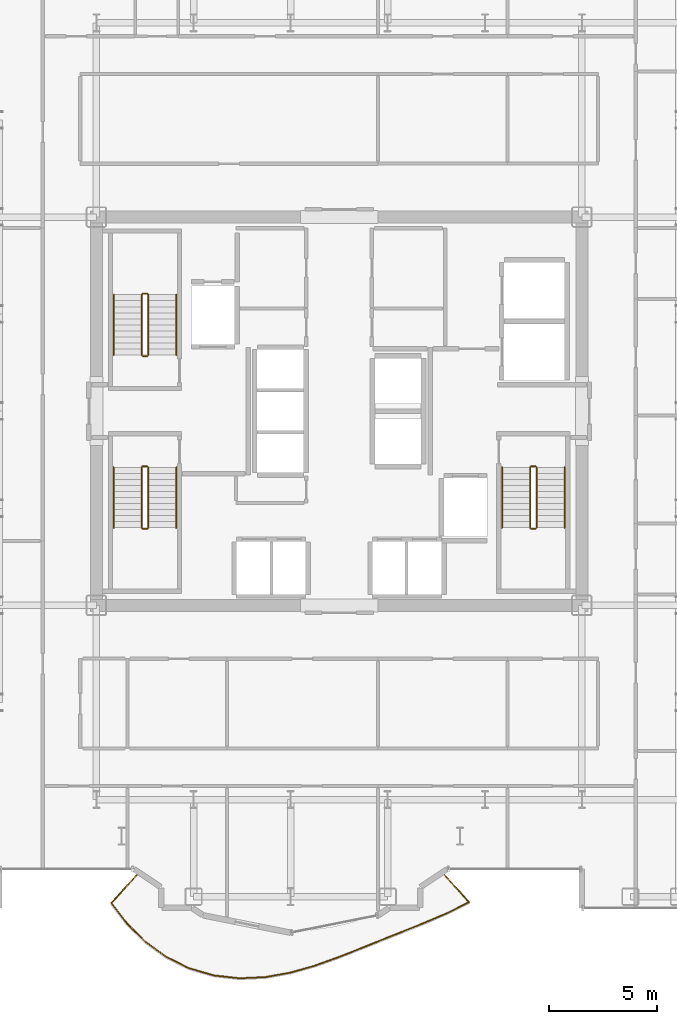
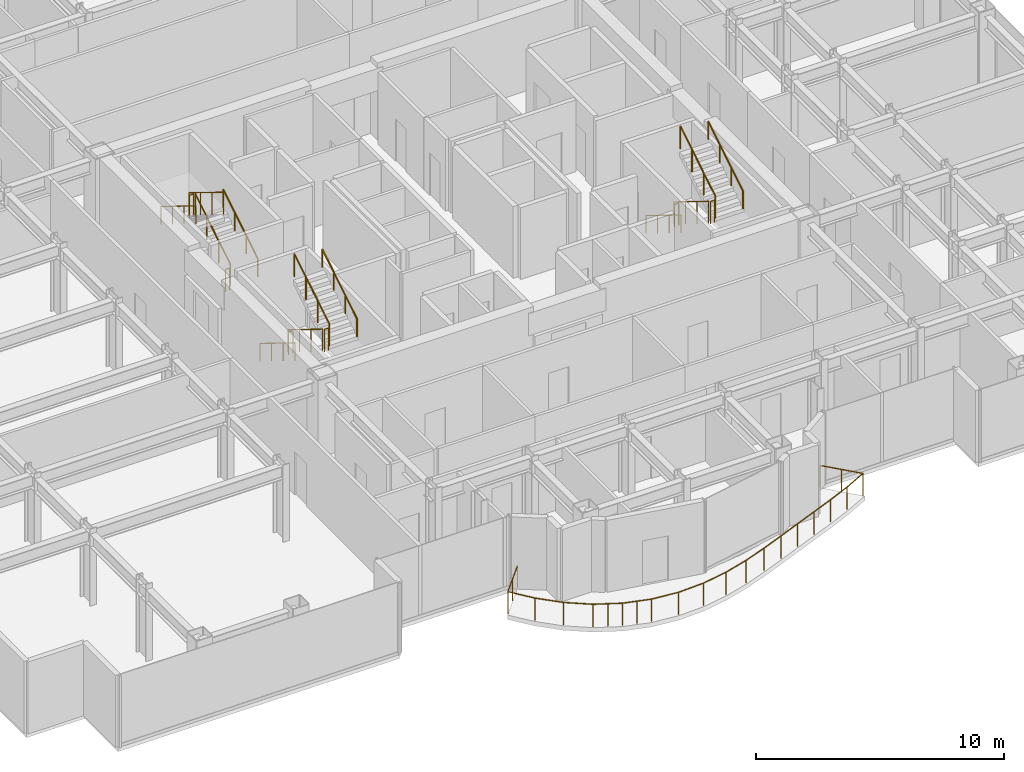
# One storey, part 25 of 26: 19 railings.
"""IFC4 building model written with IfcOpenShell, lengths in metres."""

from ifc_helpers import new_model, si_unit, direction, frame, origin, origin_2d, place, context, subcontext, project, spatial, circle, extrude, material, type_object, element, save


model = new_model("IFC4")

# Units and contexts
model_context = context("Model", 3, precision=1e-05, world=origin(), true_north=direction((0.0, 1.0)))
body_context = subcontext(model_context, "Body", "Model", "MODEL_VIEW")
ifc_project = project(units=[si_unit("LENGTHUNIT", "METRE"), si_unit("AREAUNIT", "SQUARE_METRE"), si_unit("VOLUMEUNIT", "CUBIC_METRE"), si_unit("PLANEANGLEUNIT", "RADIAN"), si_unit("MASSUNIT", "GRAM", prefix="KILO")], contexts=[model_context])

# Site, building, storey
site_placement = place(None, origin())
site = spatial("IfcSite", under=ifc_project, at=site_placement, CompositionType="ELEMENT")
building_placement = place(site_placement, origin())
building = spatial("IfcBuilding", under=site, at=building_placement, Name="Nefas-Gora Pilgrimage Tower", CompositionType="ELEMENT")
storey_placement = place(building_placement, frame((0.0, 0.0, 171.60009765625)))
storey = spatial("IfcBuildingStorey", under=building, at=storey_placement, Name="L42", CompositionType="ELEMENT", Elevation=171.60009765625)

# Railings
ifc_material_1 = material(Name="Laminated safety glass and stainless steel", Category="steel")
railing_type_1 = type_object("IfcRailingType", Name="RLG-BAL-1100", PredefinedType="BALUSTRADE", material=ifc_material_1)
railing_1_placement = place(storey_placement, frame((-9.302490234375, -21.402587890625, 0.0)))
element("IfcRailing", 1, at=railing_1_placement, inside=storey, type_object=railing_type_1, Name="L42 Wave Balcony Balustrade S2", PredefinedType="BALUSTRADE", context=body_context, shape_type="SweptSolid", body=[
    extrude(circle(Radius=0.02392578125, at=origin_2d()), frame((0.0, 0.0, 1.09619140625), z_axis=(-0.669129721026, -0.743145622634, 0.0), x_axis=(0.743145622634, -0.669129721026, 0.0)), (0.0, 0.0, 1.0), 1.880126953125),
    extrude(circle(Radius=0.02392578125, at=origin_2d()), frame((-1.258056640625, -1.397216796875, 1.09619140625), z_axis=(0.611200063939, -0.791476141044, 0.0), x_axis=(0.791476141044, 0.611200063939, 0.0)), (0.0, 0.0, 1.0), 1.179443359375),
    extrude(circle(Radius=0.02392578125, at=origin_2d()), frame((-0.537109375, -2.330810546875, 1.09619140625), z_axis=(0.707209030738, -0.707004516848, 0.0), x_axis=(0.707004516848, 0.707209030738, 0.0)), (0.0, 0.0, 1.0), 1.19384765625),
    extrude(circle(Radius=0.02392578125, at=origin_2d()), frame((0.30712890625, -3.1748046875, 1.09619140625), z_axis=(0.807148617314, -0.590348295135, 0.0), x_axis=(0.590348295135, 0.807148617314, 0.0)), (0.0, 0.0, 1.0), 1.19921875),
    extrude(circle(Radius=0.02392578125, at=origin_2d()), frame((1.275146484375, -3.8828125, 1.09619140625), z_axis=(0.896048232133, -0.443956716011, 0.0), x_axis=(0.443956716011, 0.896048232133, 0.0)), (0.0, 0.0, 1.0), 1.200439453125),
    extrude(circle(Radius=0.02392578125, at=origin_2d()), frame((2.350830078125, -4.415771484375, 1.09619140625), z_axis=(0.960465578019, -0.278398766951, 0.0), x_axis=(0.278398766951, 0.960465578019, 0.0)), (0.0, 0.0, 1.0), 1.200439453125),
    extrude(circle(Radius=0.02392578125, at=origin_2d()), frame((3.50390625, -4.75, 1.09619140625), z_axis=(0.994009663553, -0.109292217307, 0.0), x_axis=(0.109292217307, 0.994009663553, 0.0)), (0.0, 0.0, 1.0), 1.199462890625),
    extrude(circle(Radius=0.02392578125, at=origin_2d()), frame((4.6962890625, -4.881103515625, 1.09619140625), z_axis=(0.998903921138, 0.046807652535, 0.0), x_axis=(-0.046807652535, 0.998903921138, 0.0)), (0.0, 0.0, 1.0), 1.1943359375),
    extrude(circle(Radius=0.02392578125, at=origin_2d()), frame((5.889404296875, -4.8251953125, 1.09619140625), z_axis=(0.984273970402, 0.176648665973, 0.0), x_axis=(-0.176648665973, 0.984273970402, 0.0)), (0.0, 0.0, 1.0), 1.181640625),
    extrude(circle(Radius=0.02392578125, at=origin_2d()), frame((7.052490234375, -4.616455078125, 1.09619140625), z_axis=(0.961722400744, 0.274025589875, 0.0), x_axis=(-0.274025589875, 0.961722400744, 0.0)), (0.0, 0.0, 1.0), 1.1591796875),
    extrude(circle(Radius=0.02392578125, at=origin_2d()), frame((8.167236328125, -4.298828125, 1.09619140625), z_axis=(0.941629347278, 0.336651410726, 0.0), x_axis=(-0.336651410726, 0.941629347278, 0.0)), (0.0, 0.0, 1.0), 1.129150390625),
    extrude(circle(Radius=0.02392578125, at=origin_2d()), frame((9.23046875, -3.918701171875, 1.09619140625), z_axis=(0.929909498538, 0.367788423592, 0.0), x_axis=(-0.367788423592, 0.929909498538, 0.0)), (0.0, 0.0, 1.0), 1.099365234375),
    extrude(circle(Radius=0.02392578125, at=origin_2d()), frame((10.252685546875, -3.514404296875, 1.09619140625), z_axis=(0.927160236692, 0.374665044403, 0.0), x_axis=(-0.374665044403, 0.927160236692, 0.0)), (0.0, 0.0, 1.0), 1.0791015625),
    extrude(circle(Radius=0.02392578125, at=origin_2d()), frame((11.253173828125, -3.110107421875, 1.09619140625), z_axis=(0.928883068163, 0.370373116844, 0.0), x_axis=(-0.370373116844, 0.928883068163, 0.0)), (0.0, 0.0, 1.0), 1.07568359375),
    extrude(circle(Radius=0.02392578125, at=origin_2d()), frame((12.25244140625, -2.711669921875, 1.09619140625), z_axis=(0.928183190328, 0.372123588601, 0.0), x_axis=(-0.372123588601, 0.928183190328, 0.0)), (0.0, 0.0, 1.0), 1.091064453125),
    extrude(circle(Radius=0.02392578125, at=origin_2d()), frame((13.26513671875, -2.3056640625, 1.09619140625), z_axis=(0.919111174096, 0.393998286356, 0.0), x_axis=(-0.393998286356, 0.919111174096, 0.0)), (0.0, 0.0, 1.0), 1.119140625),
    extrude(circle(Radius=0.02392578125, at=origin_2d()), frame((14.293701171875, -1.86474609375, 1.09619140625), z_axis=(0.895992473093, 0.444069238026, 0.0), x_axis=(-0.444069238026, 0.895992473093, 0.0)), (0.0, 0.0, 1.0), 1.150146484375),
    extrude(circle(Radius=0.02392578125, at=origin_2d()), frame((15.32421875, -1.35400390625, 1.09619140625), z_axis=(-0.669157184217, 0.743120893806, 0.0), x_axis=(-0.743120893806, -0.669157184217, 0.0)), (0.0, 0.0, 1.0), 1.822021484375),
    extrude(circle(Radius=0.02099609375, at=origin_2d()), origin(), (0.0, 0.0, 1.0), 1.072021484375),
    extrude(circle(Radius=0.02099609375, at=origin_2d()), frame((-0.62890625, -0.69873046875, 0.0)), (0.0, 0.0, 1.0), 1.072021484375),
    extrude(circle(Radius=0.02099609375, at=origin_2d()), frame((-1.258056640625, -1.397216796875, 0.0)), (0.0, 0.0, 1.0), 1.072021484375),
    extrude(circle(Radius=0.02099609375, at=origin_2d()), frame((-0.537109375, -2.330810546875, 0.0)), (0.0, 0.0, 1.0), 1.072021484375),
    extrude(circle(Radius=0.02099609375, at=origin_2d()), frame((0.30712890625, -3.1748046875, 0.0)), (0.0, 0.0, 1.0), 1.072021484375),
    extrude(circle(Radius=0.02099609375, at=origin_2d()), frame((1.275146484375, -3.8828125, 0.0)), (0.0, 0.0, 1.0), 1.072021484375),
    extrude(circle(Radius=0.02099609375, at=origin_2d()), frame((1.81298828125, -4.1494140625, 0.0)), (0.0, 0.0, 1.0), 1.072021484375),
    extrude(circle(Radius=0.02099609375, at=origin_2d()), frame((2.350830078125, -4.415771484375, 0.0)), (0.0, 0.0, 1.0), 1.072021484375),
    extrude(circle(Radius=0.02099609375, at=origin_2d()), frame((2.92724609375, -4.5830078125, 0.0)), (0.0, 0.0, 1.0), 1.072021484375),
    extrude(circle(Radius=0.02099609375, at=origin_2d()), frame((3.50390625, -4.75, 0.0)), (0.0, 0.0, 1.0), 1.072021484375),
    extrude(circle(Radius=0.02099609375, at=origin_2d()), frame((4.6962890625, -4.881103515625, 0.0)), (0.0, 0.0, 1.0), 1.072021484375),
    extrude(circle(Radius=0.02099609375, at=origin_2d()), frame((5.889404296875, -4.8251953125, 0.0)), (0.0, 0.0, 1.0), 1.072021484375),
    extrude(circle(Radius=0.02099609375, at=origin_2d()), frame((7.052490234375, -4.616455078125, 0.0)), (0.0, 0.0, 1.0), 1.072021484375),
    extrude(circle(Radius=0.02099609375, at=origin_2d()), frame((8.167236328125, -4.298828125, 0.0)), (0.0, 0.0, 1.0), 1.072021484375),
    extrude(circle(Radius=0.02099609375, at=origin_2d()), frame((9.23046875, -3.918701171875, 0.0)), (0.0, 0.0, 1.0), 1.072021484375),
    extrude(circle(Radius=0.02099609375, at=origin_2d()), frame((10.252685546875, -3.514404296875, 0.0)), (0.0, 0.0, 1.0), 1.072021484375),
    extrude(circle(Radius=0.02099609375, at=origin_2d()), frame((11.253173828125, -3.110107421875, 0.0)), (0.0, 0.0, 1.0), 1.072021484375),
    extrude(circle(Radius=0.02099609375, at=origin_2d()), frame((12.25244140625, -2.711669921875, 0.0)), (0.0, 0.0, 1.0), 1.072021484375),
    extrude(circle(Radius=0.02099609375, at=origin_2d()), frame((13.26513671875, -2.3056640625, 0.0)), (0.0, 0.0, 1.0), 1.072021484375),
    extrude(circle(Radius=0.02099609375, at=origin_2d()), frame((14.293701171875, -1.86474609375, 0.0)), (0.0, 0.0, 1.0), 1.072021484375),
    extrude(circle(Radius=0.02099609375, at=origin_2d()), frame((15.32421875, -1.35400390625, 0.0)), (0.0, 0.0, 1.0), 1.072021484375),
    extrude(circle(Radius=0.02099609375, at=origin_2d()), frame((14.714599609375, -0.677001953125, 0.0)), (0.0, 0.0, 1.0), 1.072021484375),
    extrude(circle(Radius=0.02099609375, at=origin_2d()), frame((14.10498046875, 0.0, 0.0)), (0.0, 0.0, 1.0), 1.072021484375),
])
ifc_material_2 = material(Name="Painted galvanised steel", Category="steel")
railing_type_2 = type_object("IfcRailingType", Name="RLG-STR-GUARD-1100", PredefinedType="GUARDRAIL", material=ifc_material_2)
railing_2_placement = place(storey_placement, frame((-8.85009765625, 2.60009765625, 0.172607421875)))
element("IfcRailing", 2, at=railing_2_placement, inside=storey, type_object=railing_type_2, Name="L42 ST-01 stair guard 1", PredefinedType="GUARDRAIL", context=body_context, shape_type="SweptSolid", body=[
    extrude(circle(Radius=0.02392578125, at=origin_2d()), frame((0.0, 0.0, 1.09619140625), z_axis=(0.0, 0.851069175582, 0.525053576669), x_axis=(-1.0, 0.0, 0.0)), (0.0, 0.0, 1.0), 3.289794921875),
    extrude(circle(Radius=0.02099609375, at=origin_2d()), origin(), (0.0, 0.0, 1.0), 1.072021484375),
    extrude(circle(Radius=0.02099609375, at=origin_2d()), frame((0.0, 0.933349609375, 0.57568359375)), (0.0, 0.0, 1.0), 1.072021484375),
    extrude(circle(Radius=0.02099609375, at=origin_2d()), frame((0.0, 1.866455078125, 1.151611328125)), (0.0, 0.0, 1.0), 1.072021484375),
    extrude(circle(Radius=0.02099609375, at=origin_2d()), frame((0.0, 2.7998046875, 1.727294921875)), (0.0, 0.0, 1.0), 1.072021484375),
])
railing_3_placement = place(storey_placement, frame((-8.89990234375, 5.449951171875, 1.89990234375)))
element("IfcRailing", 3, at=railing_3_placement, inside=storey, type_object=railing_type_2, Name="L42 ST-01 stair guard 2", PredefinedType="GUARDRAIL", context=body_context, shape_type="SweptSolid", body=[
    extrude(circle(Radius=0.02392578125, at=origin_2d()), frame((0.0, 0.0, 1.09619140625), z_axis=(-1.0, 0.0, 0.0), x_axis=(0.0, -1.0, 0.0)), (0.0, 0.0, 1.0), 0.2001953125),
    extrude(circle(Radius=0.02099609375, at=origin_2d()), origin(), (0.0, 0.0, 1.0), 1.072021484375),
    extrude(circle(Radius=0.02099609375, at=origin_2d()), frame((-0.2001953125, 0.0, 0.0)), (0.0, 0.0, 1.0), 1.072021484375),
])
railing_4_placement = place(storey_placement, frame((-9.14990234375, 5.39990234375, 2.072509765625)))
element("IfcRailing", 4, at=railing_4_placement, inside=storey, type_object=railing_type_2, Name="L42 ST-01 stair guard 3", PredefinedType="GUARDRAIL", context=body_context, shape_type="SweptSolid", body=[
    extrude(circle(Radius=0.02392578125, at=origin_2d()), frame((0.0, 0.0, 1.09619140625), z_axis=(0.0, -0.851069175582, 0.525053576669), x_axis=(1.0, 0.0, 0.0)), (0.0, 0.0, 1.0), 3.289794921875),
    extrude(circle(Radius=0.02099609375, at=origin_2d()), origin(), (0.0, 0.0, 1.0), 1.072021484375),
    extrude(circle(Radius=0.02099609375, at=origin_2d()), frame((0.0, -0.933349609375, 0.57568359375)), (0.0, 0.0, 1.0), 1.072021484375),
    extrude(circle(Radius=0.02099609375, at=origin_2d()), frame((0.0, -1.866455078125, 1.151611328125)), (0.0, 0.0, 1.0), 1.072021484375),
    extrude(circle(Radius=0.02099609375, at=origin_2d()), frame((0.0, -2.7998046875, 1.727294921875)), (0.0, 0.0, 1.0), 1.072021484375),
])
railing_5_placement = place(storey_placement, frame((-8.89990234375, 2.550048828125, 0.0)))
element("IfcRailing", 5, at=railing_5_placement, inside=storey, type_object=railing_type_2, Name="L42 ST-01 stair guard 4", PredefinedType="GUARDRAIL", context=body_context, shape_type="SweptSolid", body=[
    extrude(circle(Radius=0.02392578125, at=origin_2d()), frame((0.0, 0.0, 1.09619140625), z_axis=(-1.0, 0.0, 0.0), x_axis=(0.0, -1.0, 0.0)), (0.0, 0.0, 1.0), 0.2001953125),
    extrude(circle(Radius=0.02099609375, at=origin_2d()), origin(), (0.0, 0.0, 1.0), 1.072021484375),
    extrude(circle(Radius=0.02099609375, at=origin_2d()), frame((-0.2001953125, 0.0, 0.0)), (0.0, 0.0, 1.0), 1.072021484375),
])
railing_6_placement = place(storey_placement, frame((8.85009765625, -2.60009765625, 0.172607421875)))
element("IfcRailing", 6, at=railing_6_placement, inside=storey, type_object=railing_type_2, Name="L42 ST-02 stair guard 1", PredefinedType="GUARDRAIL", context=body_context, shape_type="SweptSolid", body=[
    extrude(circle(Radius=0.02392578125, at=origin_2d()), frame((0.0, 0.0, 1.09619140625), z_axis=(0.0, -0.851069175582, 0.525053576669), x_axis=(1.0, 0.0, 0.0)), (0.0, 0.0, 1.0), 3.289794921875),
    extrude(circle(Radius=0.02099609375, at=origin_2d()), origin(), (0.0, 0.0, 1.0), 1.072021484375),
    extrude(circle(Radius=0.02099609375, at=origin_2d()), frame((0.0, -0.933349609375, 0.57568359375)), (0.0, 0.0, 1.0), 1.072021484375),
    extrude(circle(Radius=0.02099609375, at=origin_2d()), frame((0.0, -1.866455078125, 1.151611328125)), (0.0, 0.0, 1.0), 1.072021484375),
    extrude(circle(Radius=0.02099609375, at=origin_2d()), frame((0.0, -2.7998046875, 1.727294921875)), (0.0, 0.0, 1.0), 1.072021484375),
])
railing_7_placement = place(storey_placement, frame((8.89990234375, -5.449951171875, 1.89990234375)))
element("IfcRailing", 7, at=railing_7_placement, inside=storey, type_object=railing_type_2, Name="L42 ST-02 stair guard 2", PredefinedType="GUARDRAIL", context=body_context, shape_type="SweptSolid", body=[
    extrude(circle(Radius=0.02392578125, at=origin_2d()), frame((0.0, 0.0, 1.09619140625), z_axis=(1.0, 0.0, 0.0), x_axis=(0.0, 1.0, 0.0)), (0.0, 0.0, 1.0), 0.2001953125),
    extrude(circle(Radius=0.02099609375, at=origin_2d()), origin(), (0.0, 0.0, 1.0), 1.072021484375),
    extrude(circle(Radius=0.02099609375, at=origin_2d()), frame((0.2001953125, 0.0, 0.0)), (0.0, 0.0, 1.0), 1.072021484375),
])
railing_8_placement = place(storey_placement, frame((9.14990234375, -5.39990234375, 2.072509765625)))
element("IfcRailing", 8, at=railing_8_placement, inside=storey, type_object=railing_type_2, Name="L42 ST-02 stair guard 3", PredefinedType="GUARDRAIL", context=body_context, shape_type="SweptSolid", body=[
    extrude(circle(Radius=0.02392578125, at=origin_2d()), frame((0.0, 0.0, 1.09619140625), z_axis=(0.0, 0.851069175582, 0.525053576669), x_axis=(-1.0, 0.0, 0.0)), (0.0, 0.0, 1.0), 3.289794921875),
    extrude(circle(Radius=0.02099609375, at=origin_2d()), origin(), (0.0, 0.0, 1.0), 1.072021484375),
    extrude(circle(Radius=0.02099609375, at=origin_2d()), frame((0.0, 0.933349609375, 0.57568359375)), (0.0, 0.0, 1.0), 1.072021484375),
    extrude(circle(Radius=0.02099609375, at=origin_2d()), frame((0.0, 1.866455078125, 1.151611328125)), (0.0, 0.0, 1.0), 1.072021484375),
    extrude(circle(Radius=0.02099609375, at=origin_2d()), frame((0.0, 2.7998046875, 1.727294921875)), (0.0, 0.0, 1.0), 1.072021484375),
])
railing_9_placement = place(storey_placement, frame((8.89990234375, -2.550048828125, 0.0)))
element("IfcRailing", 9, at=railing_9_placement, inside=storey, type_object=railing_type_2, Name="L42 ST-02 stair guard 4", PredefinedType="GUARDRAIL", context=body_context, shape_type="SweptSolid", body=[
    extrude(circle(Radius=0.02392578125, at=origin_2d()), frame((0.0, 0.0, 1.09619140625), z_axis=(1.0, 0.0, 0.0), x_axis=(0.0, 1.0, 0.0)), (0.0, 0.0, 1.0), 0.2001953125),
    extrude(circle(Radius=0.02099609375, at=origin_2d()), origin(), (0.0, 0.0, 1.0), 1.072021484375),
    extrude(circle(Radius=0.02099609375, at=origin_2d()), frame((0.2001953125, 0.0, 0.0)), (0.0, 0.0, 1.0), 1.072021484375),
])
railing_10_placement = place(storey_placement, frame((-9.14990234375, -2.60009765625, 0.172607421875)))
element("IfcRailing", 10, at=railing_10_placement, inside=storey, type_object=railing_type_2, Name="L42 ST-03 stair guard 1", PredefinedType="GUARDRAIL", context=body_context, shape_type="SweptSolid", body=[
    extrude(circle(Radius=0.02392578125, at=origin_2d()), frame((0.0, 0.0, 1.09619140625), z_axis=(0.0, -0.851069175582, 0.525053576669), x_axis=(1.0, 0.0, 0.0)), (0.0, 0.0, 1.0), 3.289794921875),
    extrude(circle(Radius=0.02099609375, at=origin_2d()), origin(), (0.0, 0.0, 1.0), 1.072021484375),
    extrude(circle(Radius=0.02099609375, at=origin_2d()), frame((0.0, -0.933349609375, 0.57568359375)), (0.0, 0.0, 1.0), 1.072021484375),
    extrude(circle(Radius=0.02099609375, at=origin_2d()), frame((0.0, -1.866455078125, 1.151611328125)), (0.0, 0.0, 1.0), 1.072021484375),
    extrude(circle(Radius=0.02099609375, at=origin_2d()), frame((0.0, -2.7998046875, 1.727294921875)), (0.0, 0.0, 1.0), 1.072021484375),
])
railing_11_placement = place(storey_placement, frame((-9.10009765625, -5.449951171875, 1.89990234375)))
element("IfcRailing", 11, at=railing_11_placement, inside=storey, type_object=railing_type_2, Name="L42 ST-03 stair guard 2", PredefinedType="GUARDRAIL", context=body_context, shape_type="SweptSolid", body=[
    extrude(circle(Radius=0.02392578125, at=origin_2d()), frame((0.0, 0.0, 1.09619140625), z_axis=(1.0, 0.0, 0.0), x_axis=(0.0, 1.0, 0.0)), (0.0, 0.0, 1.0), 0.2001953125),
    extrude(circle(Radius=0.02099609375, at=origin_2d()), origin(), (0.0, 0.0, 1.0), 1.072021484375),
    extrude(circle(Radius=0.02099609375, at=origin_2d()), frame((0.2001953125, 0.0, 0.0)), (0.0, 0.0, 1.0), 1.072021484375),
])
railing_12_placement = place(storey_placement, frame((-8.85009765625, -5.39990234375, 2.072509765625)))
element("IfcRailing", 12, at=railing_12_placement, inside=storey, type_object=railing_type_2, Name="L42 ST-03 stair guard 3", PredefinedType="GUARDRAIL", context=body_context, shape_type="SweptSolid", body=[
    extrude(circle(Radius=0.02392578125, at=origin_2d()), frame((0.0, 0.0, 1.09619140625), z_axis=(0.0, 0.851069175582, 0.525053576669), x_axis=(-1.0, 0.0, 0.0)), (0.0, 0.0, 1.0), 3.289794921875),
    extrude(circle(Radius=0.02099609375, at=origin_2d()), origin(), (0.0, 0.0, 1.0), 1.072021484375),
    extrude(circle(Radius=0.02099609375, at=origin_2d()), frame((0.0, 0.933349609375, 0.57568359375)), (0.0, 0.0, 1.0), 1.072021484375),
    extrude(circle(Radius=0.02099609375, at=origin_2d()), frame((0.0, 1.866455078125, 1.151611328125)), (0.0, 0.0, 1.0), 1.072021484375),
    extrude(circle(Radius=0.02099609375, at=origin_2d()), frame((0.0, 2.7998046875, 1.727294921875)), (0.0, 0.0, 1.0), 1.072021484375),
])
railing_13_placement = place(storey_placement, frame((-9.10009765625, -2.550048828125, 0.0)))
element("IfcRailing", 13, at=railing_13_placement, inside=storey, type_object=railing_type_2, Name="L42 ST-03 stair guard 4", PredefinedType="GUARDRAIL", context=body_context, shape_type="SweptSolid", body=[
    extrude(circle(Radius=0.02392578125, at=origin_2d()), frame((0.0, 0.0, 1.09619140625), z_axis=(1.0, 0.0, 0.0), x_axis=(0.0, 1.0, 0.0)), (0.0, 0.0, 1.0), 0.2001953125),
    extrude(circle(Radius=0.02099609375, at=origin_2d()), origin(), (0.0, 0.0, 1.0), 1.072021484375),
    extrude(circle(Radius=0.02099609375, at=origin_2d()), frame((0.2001953125, 0.0, 0.0)), (0.0, 0.0, 1.0), 1.072021484375),
])
ifc_material_3 = material(Name="Brushed stainless steel", Category="steel")
railing_type_3 = type_object("IfcRailingType", Name="RLG-STR-HAND-900", PredefinedType="HANDRAIL", material=ifc_material_3)
railing_14_placement = place(storey_placement, frame((-7.550048828125, 2.60009765625, 0.172607421875)))
element("IfcRailing", 14, at=railing_14_placement, inside=storey, type_object=railing_type_3, Name="L42 ST-01 stair handrail 1", PredefinedType="HANDRAIL", context=body_context, shape_type="SweptSolid", body=[
    extrude(circle(Radius=0.02392578125, at=origin_2d()), frame((0.0, 0.0, 0.8759765625), z_axis=(0.0, 0.851069175582, 0.525053576669), x_axis=(-1.0, 0.0, 0.0)), (0.0, 0.0, 1.0), 3.289794921875),
    extrude(circle(Radius=0.02099609375, at=origin_2d()), origin(), (0.0, 0.0, 1.0), 0.851806640625),
    extrude(circle(Radius=0.02099609375, at=origin_2d()), frame((0.0, 0.933349609375, 0.57568359375)), (0.0, 0.0, 1.0), 0.851806640625),
    extrude(circle(Radius=0.02099609375, at=origin_2d()), frame((0.0, 1.866455078125, 1.151611328125)), (0.0, 0.0, 1.0), 0.851806640625),
    extrude(circle(Radius=0.02099609375, at=origin_2d()), frame((0.0, 2.7998046875, 1.727294921875)), (0.0, 0.0, 1.0), 0.851806640625),
])
for number, where, name in (
    (15, (-10.449951171875, 5.39990234375, 2.072509765625), "L42 ST-01 stair handrail 2"),
    (16, (7.550048828125, -2.60009765625, 0.172607421875), "L42 ST-02 stair handrail 1"),
):
    element("IfcRailing", number, at=place(storey_placement, frame(where)), inside=storey, type_object=railing_type_3, Name=name, PredefinedType="HANDRAIL", context=body_context, shape_type="SweptSolid", body=[
        extrude(circle(Radius=0.02392578125, at=origin_2d()), frame((0.0, 0.0, 0.8759765625), z_axis=(0.0, -0.851069175582, 0.525053576669), x_axis=(1.0, 0.0, 0.0)), (0.0, 0.0, 1.0), 3.289794921875),
        extrude(circle(Radius=0.02099609375, at=origin_2d()), origin(), (0.0, 0.0, 1.0), 0.851806640625),
        extrude(circle(Radius=0.02099609375, at=origin_2d()), frame((0.0, -0.933349609375, 0.57568359375)), (0.0, 0.0, 1.0), 0.851806640625),
        extrude(circle(Radius=0.02099609375, at=origin_2d()), frame((0.0, -1.866455078125, 1.151611328125)), (0.0, 0.0, 1.0), 0.851806640625),
        extrude(circle(Radius=0.02099609375, at=origin_2d()), frame((0.0, -2.7998046875, 1.727294921875)), (0.0, 0.0, 1.0), 0.851806640625),
    ])
railing_15_placement = place(storey_placement, frame((10.449951171875, -5.39990234375, 2.072509765625)))
element("IfcRailing", 17, at=railing_15_placement, inside=storey, type_object=railing_type_3, Name="L42 ST-02 stair handrail 2", PredefinedType="HANDRAIL", context=body_context, shape_type="SweptSolid", body=[
    extrude(circle(Radius=0.02392578125, at=origin_2d()), frame((0.0, 0.0, 0.8759765625), z_axis=(0.0, 0.851069175582, 0.525053576669), x_axis=(-1.0, 0.0, 0.0)), (0.0, 0.0, 1.0), 3.289794921875),
    extrude(circle(Radius=0.02099609375, at=origin_2d()), origin(), (0.0, 0.0, 1.0), 0.851806640625),
    extrude(circle(Radius=0.02099609375, at=origin_2d()), frame((0.0, 0.933349609375, 0.57568359375)), (0.0, 0.0, 1.0), 0.851806640625),
    extrude(circle(Radius=0.02099609375, at=origin_2d()), frame((0.0, 1.866455078125, 1.151611328125)), (0.0, 0.0, 1.0), 0.851806640625),
    extrude(circle(Radius=0.02099609375, at=origin_2d()), frame((0.0, 2.7998046875, 1.727294921875)), (0.0, 0.0, 1.0), 0.851806640625),
])
railing_16_placement = place(storey_placement, frame((-10.449951171875, -2.60009765625, 0.172607421875)))
element("IfcRailing", 18, at=railing_16_placement, inside=storey, type_object=railing_type_3, Name="L42 ST-03 stair handrail 1", PredefinedType="HANDRAIL", context=body_context, shape_type="SweptSolid", body=[
    extrude(circle(Radius=0.02392578125, at=origin_2d()), frame((0.0, 0.0, 0.8759765625), z_axis=(0.0, -0.851069175582, 0.525053576669), x_axis=(1.0, 0.0, 0.0)), (0.0, 0.0, 1.0), 3.289794921875),
    extrude(circle(Radius=0.02099609375, at=origin_2d()), origin(), (0.0, 0.0, 1.0), 0.851806640625),
    extrude(circle(Radius=0.02099609375, at=origin_2d()), frame((0.0, -0.933349609375, 0.57568359375)), (0.0, 0.0, 1.0), 0.851806640625),
    extrude(circle(Radius=0.02099609375, at=origin_2d()), frame((0.0, -1.866455078125, 1.151611328125)), (0.0, 0.0, 1.0), 0.851806640625),
    extrude(circle(Radius=0.02099609375, at=origin_2d()), frame((0.0, -2.7998046875, 1.727294921875)), (0.0, 0.0, 1.0), 0.851806640625),
])
railing_17_placement = place(storey_placement, frame((-7.550048828125, -5.39990234375, 2.072509765625)))
element("IfcRailing", 19, at=railing_17_placement, inside=storey, type_object=railing_type_3, Name="L42 ST-03 stair handrail 2", PredefinedType="HANDRAIL", context=body_context, shape_type="SweptSolid", body=[
    extrude(circle(Radius=0.02392578125, at=origin_2d()), frame((0.0, 0.0, 0.8759765625), z_axis=(0.0, 0.851069175582, 0.525053576669), x_axis=(-1.0, 0.0, 0.0)), (0.0, 0.0, 1.0), 3.289794921875),
    extrude(circle(Radius=0.02099609375, at=origin_2d()), origin(), (0.0, 0.0, 1.0), 0.851806640625),
    extrude(circle(Radius=0.02099609375, at=origin_2d()), frame((0.0, 0.933349609375, 0.57568359375)), (0.0, 0.0, 1.0), 0.851806640625),
    extrude(circle(Radius=0.02099609375, at=origin_2d()), frame((0.0, 1.866455078125, 1.151611328125)), (0.0, 0.0, 1.0), 0.851806640625),
    extrude(circle(Radius=0.02099609375, at=origin_2d()), frame((0.0, 2.7998046875, 1.727294921875)), (0.0, 0.0, 1.0), 0.851806640625),
])

save(model, "model.ifc")
